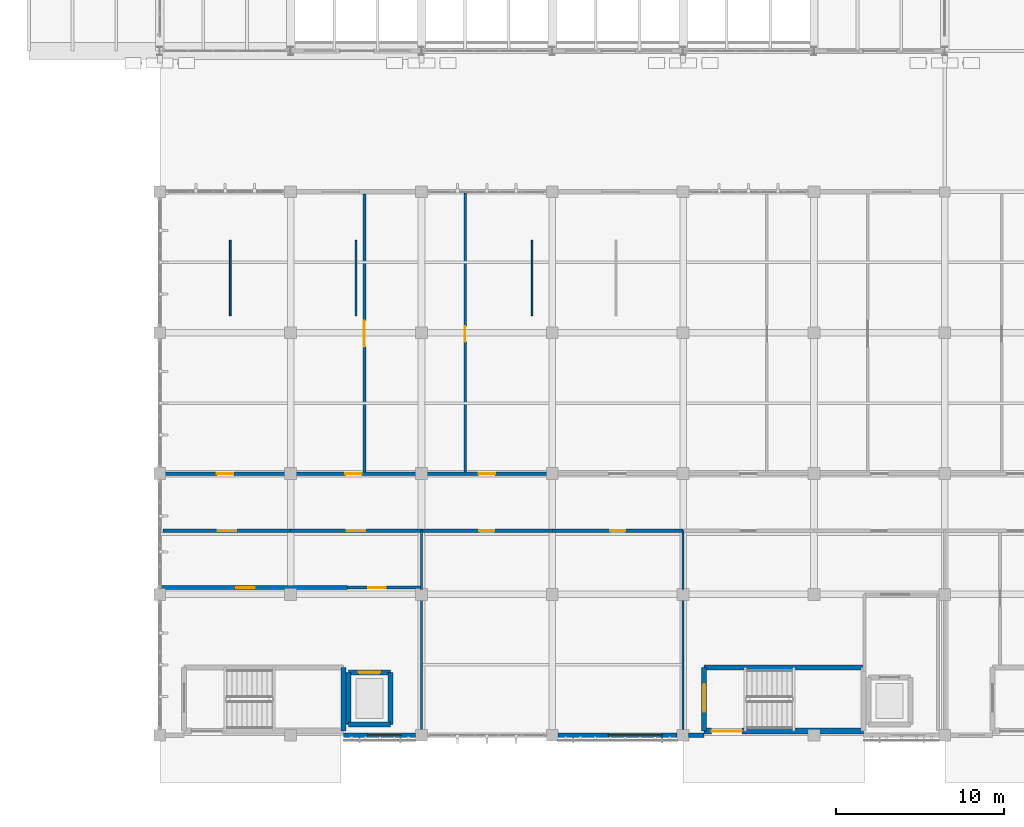
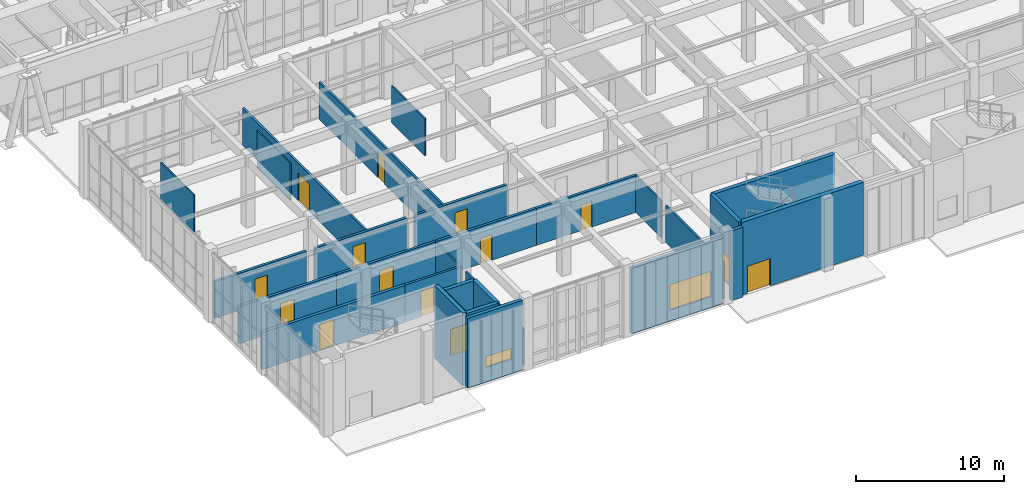
# One storey, part 74 of 110: 29 walls, 14 doors, 2 windows, 16 openings.
"""IFC4 building model written with IfcOpenShell, lengths in metres."""

from ifc_helpers import new_model, si_unit, direction, frame, frame_2d, origin, place, context, subcontext, project, spatial, rectangle, extrude, material, layer, layer_set, type_object, element, fill, save


model = new_model("IFC4")

# Units and contexts
model_context = context("Model", 3, precision=1e-05, world=origin(), true_north=direction((0.0, 1.0)))
body_context = subcontext(model_context, "Body", "Model", "MODEL_VIEW")
ifc_project = project(units=[si_unit("LENGTHUNIT", "METRE"), si_unit("AREAUNIT", "SQUARE_METRE"), si_unit("VOLUMEUNIT", "CUBIC_METRE"), si_unit("PLANEANGLEUNIT", "RADIAN"), si_unit("MASSUNIT", "GRAM", prefix="KILO")], contexts=[model_context])

# Site, building, storey
site_placement = place(None, origin())
site = spatial("IfcSite", under=ifc_project, at=site_placement, CompositionType="ELEMENT")
building_placement = place(site_placement, origin())
building = spatial("IfcBuilding", under=site, at=building_placement, Name="Tizgana Railside Sports Hall", CompositionType="ELEMENT")
storey_placement = place(building_placement, origin())
storey = spatial("IfcBuildingStorey", under=building, at=storey_placement, Name="L00", CompositionType="ELEMENT", Elevation=0.0)

# Wall, opening, door
ifc_material_1 = material(Name="Masonry blockwork", Category="masonry")
ifc_layer_1 = layer(ifc_material_1, 0.14990234375, Name="Masonry blockwork")
ifc_layer_set_1 = layer_set([ifc_layer_1], Name="Masonry blockwork")
wall_type_1 = type_object("IfcWallType", Name="Changing Wet-Room Partition 150", PredefinedType="STANDARD", material=ifc_layer_set_1)
wall_1_placement = place(storey_placement, frame((26.0, 15.60009765625, 0.0), z_axis=(0.0, 0.0, 1.0), x_axis=(0.0, 1.0, 0.0)))
wall_1 = element("IfcWall", 1, at=wall_1_placement, inside=storey, type_object=wall_type_1, Name="L00 Partition PWAL-0023", PredefinedType="STANDARD", context=body_context, shape_type="SweptSolid", body=[
    extrude(rectangle(XDim=16.724853515625, YDim=0.14990234375, at=frame_2d((8.3623046875, 0.0))), origin(), (0.0, 0.0, 1.0), 3.050048828125),
])
opening_1_placement = place(wall_1_placement, frame((7.864990234375, 0.0, 0.0)))
opening_1 = element("IfcOpeningElement", 2, at=opening_1_placement, cuts=wall_1, Name="Opening D-0125", PredefinedType="OPENING", context=body_context, shape_type="SweptSolid", body=[
    extrude(rectangle(XDim=0.919921875, YDim=2.14990234375, at=frame_2d((0.4599609375, 1.074951171875))), frame((0.0, 0.0849609375, 0.0), z_axis=(0.0, -1.0, 0.0), x_axis=(1.0, 0.0, 0.0)), (0.0, 0.0, 1.0), 0.169921875),
])
ifc_material_2 = material(Name="Solid beech timber", Category="wood")
door_type_1 = type_object("IfcDoorType", Name="Consultation & Coaching Door 920x2150", OperationType="NOTDEFINED", PredefinedType="DOOR", material=ifc_material_2)
door_1_placement = place(opening_1_placement, origin())
door_1 = element("IfcDoor", 3, at=door_1_placement, inside=storey, type_object=door_type_1, Name="L00 Door D-0125", OperationType="SINGLE_SWING_LEFT", OverallHeight=2.14990234375, OverallWidth=0.919921875, PredefinedType="DOOR", context=body_context, shape_type="SweptSolid", body=[
    extrude(rectangle(XDim=0.919921875, YDim=2.14990234375, at=frame_2d((0.4599609375, 1.074951171875))), frame((0.0, 0.02490234375, 0.0), z_axis=(0.0, -1.0, 0.0), x_axis=(1.0, 0.0, 0.0)), (0.0, 0.0, 1.0), 0.050048828125),
])
fill(opening_1, door_1)

ifc_material_3 = material(Name="Acoustic gypsum stud")
ifc_layer_2 = layer(ifc_material_3, 0.159912109375, Name="Acoustic gypsum stud")
ifc_layer_set_2 = layer_set([ifc_layer_2], Name="Acoustic gypsum stud")
wall_type_2 = type_object("IfcWallType", Name="Clinic Acoustic Partition 160", PredefinedType="STANDARD", material=ifc_layer_set_2)
wall_2_placement = place(storey_placement, frame((20.0, 15.64990234375, 0.0), z_axis=(0.0, 0.0, 1.0), x_axis=(0.0, 1.0, 0.0)))
wall_2 = element("IfcWall", 4, at=wall_2_placement, inside=storey, type_object=wall_type_2, Name="L00 Partition PWAL-0043", PredefinedType="STANDARD", context=body_context, shape_type="SweptSolid", body=[
    extrude(rectangle(XDim=16.610107421875, YDim=0.159912109375, at=frame_2d((8.30517578125, 0.0))), origin(), (0.0, 0.0, 1.0), 3.050048828125),
])
opening_2_placement = place(wall_2_placement, frame((7.52490234375, 0.0, 0.0)))
opening_2 = element("IfcOpeningElement", 5, at=opening_2_placement, cuts=wall_2, Name="Opening D-0131", PredefinedType="OPENING", context=body_context, shape_type="SweptSolid", body=[
    extrude(rectangle(XDim=1.550048828125, YDim=2.25, at=frame_2d((0.77490234375, 1.125))), frame((0.0, 0.08984375, 0.0), z_axis=(0.0, -1.0, 0.0), x_axis=(1.0, 0.0, 0.0)), (0.0, 0.0, 1.0), 0.179931640625),
])
ifc_material_4 = material(Name="Acoustic perforated timber", Category="wood")
door_type_2 = type_object("IfcDoorType", Name="Studio Acoustic Double Door 1550x2250", OperationType="NOTDEFINED", PredefinedType="DOOR", material=ifc_material_4)
door_2_placement = place(opening_2_placement, origin())
door_2 = element("IfcDoor", 6, at=door_2_placement, inside=storey, type_object=door_type_2, Name="L00 Door D-0131", OperationType="DOUBLE_DOOR_SINGLE_SWING", OverallHeight=2.25, OverallWidth=1.550048828125, PredefinedType="DOOR", context=body_context, shape_type="SweptSolid", body=[
    extrude(rectangle(XDim=1.550048828125, YDim=2.25, at=frame_2d((0.77490234375, 1.125))), frame((0.0, 0.02490234375, 0.0), z_axis=(0.0, -1.0, 0.0), x_axis=(1.0, 0.0, 0.0)), (0.0, 0.0, 1.0), 0.050048828125),
])
fill(opening_2, door_2)

# Walls
ifc_material_5 = material(Name="Concrete C40/50", Category="concrete")
ifc_layer_3 = layer(ifc_material_5, 0.300048828125, Name="Concrete C40/50")
ifc_layer_set_3 = layer_set([ifc_layer_3], Name="Concrete C40/50")
wall_type_3 = type_object("IfcWallType", Name="Core Shear Wall 300", PredefinedType="SHEAR", material=ifc_layer_set_3)
wall_3_placement = place(storey_placement, frame((18.75, 0.25, 0.0), z_axis=(0.0, 0.0, 1.0), x_axis=(0.0, 1.0, 0.0)))
element("IfcWall", 7, at=wall_3_placement, inside=storey, type_object=wall_type_3, Name="L00 C1 Shaft Wall E", PredefinedType="SHEAR", context=body_context, shape_type="SweptSolid", body=[
    extrude(rectangle(XDim=3.800048828125, YDim=0.300048828125, at=frame_2d((1.89990234375, 0.0))), origin(), (0.0, 0.0, 1.0), 6.0),
])
wall_4_placement = place(storey_placement, frame((19.050048828125, 0.64990234375, 0.0), z_axis=(0.0, 0.0, 1.0), x_axis=(1.0, 0.0, 0.0)))
element("IfcWall", 8, at=wall_4_placement, inside=storey, type_object=wall_type_3, Name="L00 LF-01 Shaft Wall S", PredefinedType="SHEAR", context=body_context, shape_type="SweptSolid", body=[
    extrude(rectangle(XDim=2.5, YDim=0.300048828125, at=frame_2d((1.25, 0.0))), origin(), (0.0, 0.0, 1.0), 5.659912109375),
])

# Wall, opening, door
wall_5_placement = place(storey_placement, frame((19.050048828125, 3.75, 0.0), z_axis=(0.0, 0.0, 1.0), x_axis=(1.0, 0.0, 0.0)))
wall_5 = element("IfcWall", 9, at=wall_5_placement, inside=storey, type_object=wall_type_3, Name="L00 LF-01 Shaft Wall N", PredefinedType="SHEAR", context=body_context, shape_type="SweptSolid", body=[
    extrude(rectangle(XDim=2.5, YDim=0.300048828125, at=frame_2d((1.25, 0.0))), origin(), (0.0, 0.0, 1.0), 5.659912109375),
])
opening_3_placement = place(wall_5_placement, frame((0.60009765625, 0.0, 0.0)))
opening_3 = element("IfcOpeningElement", 10, at=opening_3_placement, cuts=wall_5, Name="Opening D-0044", PredefinedType="OPENING", context=body_context, shape_type="SweptSolid", body=[
    extrude(rectangle(XDim=1.300048828125, YDim=2.199951171875, at=frame_2d((0.64990234375, 1.10009765625))), frame((0.0, 0.159912109375, 0.0), z_axis=(0.0, -1.0, 0.0), x_axis=(1.0, 0.0, 0.0)), (0.0, 0.0, 1.0), 0.320068359375),
])
ifc_material_6 = material(Name="Brushed stainless steel", Category="steel")
door_type_3 = type_object("IfcDoorType", Name="Stretcher Lift Sliding Door 1300x2200", OperationType="NOTDEFINED", PredefinedType="DOOR", material=ifc_material_6)
door_3_placement = place(opening_3_placement, origin())
door_3 = element("IfcDoor", 11, at=door_3_placement, inside=storey, type_object=door_type_3, Name="L00 Door D-0044", OperationType="DOUBLE_DOOR_SLIDING", OverallHeight=2.199951171875, OverallWidth=1.300048828125, PredefinedType="DOOR", context=body_context, shape_type="SweptSolid", body=[
    extrude(rectangle(XDim=1.300048828125, YDim=2.199951171875, at=frame_2d((0.64990234375, 1.10009765625))), frame((0.0, 0.02490234375, 0.0), z_axis=(0.0, -1.0, 0.0), x_axis=(1.0, 0.0, 0.0)), (0.0, 0.0, 1.0), 0.050048828125),
])
fill(opening_3, door_3)

# Walls
for number, where, z_axis, x_axis, name in (
    (12, (19.050048828125, 0.64990234375, 0.0), (0.0, 0.0, 1.0), (0.0, 1.0, 0.0), "L00 LF-01 Shaft Wall W"),
    (13, (21.550048828125, 0.64990234375, 0.0), (0.0, 0.0, 1.0), (0.0, 1.0, 0.0), "L00 LF-01 Shaft Wall E"),
):
    element("IfcWall", number, at=place(storey_placement, frame(where, z_axis=z_axis, x_axis=x_axis)), inside=storey, type_object=wall_type_3, Name=name, PredefinedType="SHEAR", context=body_context, shape_type="SweptSolid", body=[
        extrude(rectangle(XDim=3.10009765625, YDim=0.300048828125, at=frame_2d((1.550048828125, 0.0))), origin(), (0.0, 0.0, 1.0), 5.659912109375),
    ])
wall_6_placement = place(storey_placement, frame((40.25, 4.050048828125, 0.0), z_axis=(0.0, 0.0, 1.0), x_axis=(1.0, 0.0, 0.0)))
element("IfcWall", 14, at=wall_6_placement, inside=storey, type_object=wall_type_3, Name="L00 C2 Shaft Wall N", PredefinedType="SHEAR", context=body_context, shape_type="SweptSolid", body=[
    extrude(rectangle(XDim=9.5, YDim=0.300048828125, at=frame_2d((4.75, 0.0))), origin(), (0.0, 0.0, 1.0), 6.0),
])

# Wall, opening, door
wall_7_placement = place(storey_placement, frame((40.25, 0.25, 0.0), z_axis=(0.0, 0.0, 1.0), x_axis=(0.0, 1.0, 0.0)))
wall_7 = element("IfcWall", 15, at=wall_7_placement, inside=storey, type_object=wall_type_3, Name="L00 C2 Shaft Wall W", PredefinedType="SHEAR", context=body_context, shape_type="SweptSolid", body=[
    extrude(rectangle(XDim=3.800048828125, YDim=0.300048828125, at=frame_2d((1.89990234375, 0.0))), origin(), (0.0, 0.0, 1.0), 6.0),
])
opening_4_placement = place(wall_7_placement, frame((1.14990234375, 0.0, 0.0)))
opening_4 = element("IfcOpeningElement", 16, at=opening_4_placement, cuts=wall_7, Name="Opening D-0050", PredefinedType="OPENING", context=body_context, shape_type="SweptSolid", body=[
    extrude(rectangle(XDim=1.64990234375, YDim=2.199951171875, at=frame_2d((0.824951171875, 1.10009765625))), frame((0.0, 0.159912109375, 0.0), z_axis=(0.0, -1.0, 0.0), x_axis=(1.0, 0.0, 0.0)), (0.0, 0.0, 1.0), 0.320068359375),
])
ifc_material_7 = material(Name="Timber fire leaf", Category="wood")
door_type_4 = type_object("IfcDoorType", Name="Stair Core Double Fire Door 1650x2200", OperationType="NOTDEFINED", PredefinedType="DOOR", material=ifc_material_7)
door_4_placement = place(opening_4_placement, origin())
door_4 = element("IfcDoor", 17, at=door_4_placement, inside=storey, type_object=door_type_4, Name="L00 Door D-0050", OperationType="DOUBLE_DOOR_SINGLE_SWING", OverallHeight=2.199951171875, OverallWidth=1.64990234375, PredefinedType="DOOR", context=body_context, shape_type="SweptSolid", body=[
    extrude(rectangle(XDim=1.64990234375, YDim=2.199951171875, at=frame_2d((0.824951171875, 1.10009765625))), frame((0.0, 0.02490234375, 0.0), z_axis=(0.0, -1.0, 0.0), x_axis=(1.0, 0.0, 0.0)), (0.0, 0.0, 1.0), 0.050048828125),
])
fill(opening_4, door_4)

ifc_layer_4 = layer(ifc_material_1, 0.199951171875, Name="Masonry blockwork")
ifc_layer_set_4 = layer_set([ifc_layer_4], Name="Masonry blockwork")
wall_type_4 = type_object("IfcWallType", Name="Corridor Compartment Partition 200", PredefinedType="STANDARD", material=ifc_layer_set_4)
wall_8_placement = place(storey_placement, frame((8.10009765625, 15.60009765625, 0.0), z_axis=(0.0, 0.0, 1.0), x_axis=(1.0, 0.0, 0.0)))
wall_8 = element("IfcWall", 18, at=wall_8_placement, inside=storey, type_object=wall_type_4, Name="L00 Partition PWAL-0001", PredefinedType="STANDARD", context=body_context, shape_type="SweptSolid", body=[
    extrude(rectangle(XDim=7.199951171875, YDim=0.199951171875, at=frame_2d((3.60009765625, 0.0))), origin(), (0.0, 0.0, 1.0), 3.050048828125),
])
opening_5_placement = place(wall_8_placement, frame((3.110107421875, 0.0, 0.0)))
opening_5 = element("IfcOpeningElement", 19, at=opening_5_placement, cuts=wall_8, Name="Opening D-0103", PredefinedType="OPENING", context=body_context, shape_type="SweptSolid", body=[
    extrude(rectangle(XDim=0.97998046875, YDim=2.14990234375, at=frame_2d((0.489990234375, 1.074951171875))), frame((0.0, 0.10986328125, 0.0), z_axis=(0.0, -1.0, 0.0), x_axis=(1.0, 0.0, 0.0)), (0.0, 0.0, 1.0), 0.219970703125),
])
door_type_5 = type_object("IfcDoorType", Name="Athlete Changing Room Door 980x2150", OperationType="NOTDEFINED", PredefinedType="DOOR", material=ifc_material_2)
door_5_placement = place(opening_5_placement, origin())
door_5 = element("IfcDoor", 20, at=door_5_placement, inside=storey, type_object=door_type_5, Name="L00 Door D-0103", OperationType="SINGLE_SWING_LEFT", OverallHeight=2.14990234375, OverallWidth=0.97998046875, PredefinedType="DOOR", context=body_context, shape_type="SweptSolid", body=[
    extrude(rectangle(XDim=0.97998046875, YDim=2.14990234375, at=frame_2d((0.489990234375, 1.074951171875))), frame((0.0, 0.02490234375, 0.0), z_axis=(0.0, -1.0, 0.0), x_axis=(1.0, 0.0, 0.0)), (0.0, 0.0, 1.0), 0.050048828125),
])
fill(opening_5, door_5)

wall_9_placement = place(storey_placement, frame((8.0, 12.199951171875, 0.0), z_axis=(0.0, 0.0, 1.0), x_axis=(1.0, 0.0, 0.0)))
wall_9 = element("IfcWall", 21, at=wall_9_placement, inside=storey, type_object=wall_type_4, Name="L00 Partition PWAL-0002", PredefinedType="STANDARD", context=body_context, shape_type="SweptSolid", body=[
    extrude(rectangle(XDim=7.60009765625, YDim=0.199951171875, at=frame_2d((3.800048828125, 0.0))), origin(), (0.0, 0.0, 1.0), 3.050048828125),
])
opening_6_placement = place(wall_9_placement, frame((3.25, 0.0, 0.0)))
opening_6 = element("IfcOpeningElement", 22, at=opening_6_placement, cuts=wall_9, Name="Opening D-0104", PredefinedType="OPENING", context=body_context, shape_type="SweptSolid", body=[
    extrude(rectangle(XDim=1.10009765625, YDim=2.199951171875, at=frame_2d((0.550048828125, 1.10009765625))), frame((0.0, 0.10986328125, 0.0), z_axis=(0.0, -1.0, 0.0), x_axis=(1.0, 0.0, 0.0)), (0.0, 0.0, 1.0), 0.219970703125),
])
door_type_6 = type_object("IfcDoorType", Name="Firefighting Lobby Fire Door 1100x2200", OperationType="NOTDEFINED", PredefinedType="DOOR", material=ifc_material_7)
door_6_placement = place(opening_6_placement, origin())
door_6 = element("IfcDoor", 23, at=door_6_placement, inside=storey, type_object=door_type_6, Name="L00 Door D-0104", OperationType="SINGLE_SWING_RIGHT", OverallHeight=2.199951171875, OverallWidth=1.10009765625, PredefinedType="DOOR", context=body_context, shape_type="SweptSolid", body=[
    extrude(rectangle(XDim=1.10009765625, YDim=2.199951171875, at=frame_2d((0.550048828125, 1.10009765625))), frame((0.0, 0.02490234375, 0.0), z_axis=(0.0, -1.0, 0.0), x_axis=(1.0, 0.0, 0.0)), (0.0, 0.0, 1.0), 0.050048828125),
])
fill(opening_6, door_6)

wall_10_placement = place(storey_placement, frame((15.89990234375, 15.60009765625, 0.0), z_axis=(0.0, 0.0, 1.0), x_axis=(1.0, 0.0, 0.0)))
wall_10 = element("IfcWall", 24, at=wall_10_placement, inside=storey, type_object=wall_type_4, Name="L00 Partition PWAL-0003", PredefinedType="STANDARD", context=body_context, shape_type="SweptSolid", body=[
    extrude(rectangle(XDim=7.2001953125, YDim=0.199951171875, at=frame_2d((3.60009765625, 0.0))), origin(), (0.0, 0.0, 1.0), 3.050048828125),
])
opening_7_placement = place(wall_10_placement, frame((2.9599609375, 0.0, 0.0)))
opening_7 = element("IfcOpeningElement", 25, at=opening_7_placement, cuts=wall_10, Name="Opening D-0105", PredefinedType="OPENING", context=body_context, shape_type="SweptSolid", body=[
    extrude(rectangle(XDim=0.97998046875, YDim=2.14990234375, at=frame_2d((0.489990234375, 1.074951171875))), frame((0.0, 0.10986328125, 0.0), z_axis=(0.0, -1.0, 0.0), x_axis=(1.0, 0.0, 0.0)), (0.0, 0.0, 1.0), 0.219970703125),
])
door_7_placement = place(opening_7_placement, origin())
door_7 = element("IfcDoor", 26, at=door_7_placement, inside=storey, type_object=door_type_5, Name="L00 Door D-0105", OperationType="SINGLE_SWING_LEFT", OverallHeight=2.14990234375, OverallWidth=0.97998046875, PredefinedType="DOOR", context=body_context, shape_type="SweptSolid", body=[
    extrude(rectangle(XDim=0.97998046875, YDim=2.14990234375, at=frame_2d((0.489990234375, 1.074951171875))), frame((0.0, 0.02490234375, 0.0), z_axis=(0.0, -1.0, 0.0), x_axis=(1.0, 0.0, 0.0)), (0.0, 0.0, 1.0), 0.050048828125),
])
fill(opening_7, door_7)

wall_11_placement = place(storey_placement, frame((15.60009765625, 12.199951171875, 0.0), z_axis=(0.0, 0.0, 1.0), x_axis=(1.0, 0.0, 0.0)))
wall_11 = element("IfcWall", 27, at=wall_11_placement, inside=storey, type_object=wall_type_4, Name="L00 Partition PWAL-0004", PredefinedType="STANDARD", context=body_context, shape_type="SweptSolid", body=[
    extrude(rectangle(XDim=7.7998046875, YDim=0.199951171875, at=frame_2d((3.89990234375, 0.0))), origin(), (0.0, 0.0, 1.0), 3.050048828125),
])
opening_8_placement = place(wall_11_placement, frame((3.35009765625, 0.0, 0.0)))
opening_8 = element("IfcOpeningElement", 28, at=opening_8_placement, cuts=wall_11, Name="Opening D-0106", PredefinedType="OPENING", context=body_context, shape_type="SweptSolid", body=[
    extrude(rectangle(XDim=1.10009765625, YDim=2.199951171875, at=frame_2d((0.550048828125, 1.10009765625))), frame((0.0, 0.10986328125, 0.0), z_axis=(0.0, -1.0, 0.0), x_axis=(1.0, 0.0, 0.0)), (0.0, 0.0, 1.0), 0.219970703125),
])
door_8_placement = place(opening_8_placement, origin())
door_8 = element("IfcDoor", 29, at=door_8_placement, inside=storey, type_object=door_type_6, Name="L00 Door D-0106", OperationType="SINGLE_SWING_RIGHT", OverallHeight=2.199951171875, OverallWidth=1.10009765625, PredefinedType="DOOR", context=body_context, shape_type="SweptSolid", body=[
    extrude(rectangle(XDim=1.10009765625, YDim=2.199951171875, at=frame_2d((0.550048828125, 1.10009765625))), frame((0.0, 0.02490234375, 0.0), z_axis=(0.0, -1.0, 0.0), x_axis=(1.0, 0.0, 0.0)), (0.0, 0.0, 1.0), 0.050048828125),
])
fill(opening_8, door_8)

wall_12_placement = place(storey_placement, frame((23.699951171875, 15.60009765625, 0.0), z_axis=(0.0, 0.0, 1.0), x_axis=(1.0, 0.0, 0.0)))
wall_12 = element("IfcWall", 30, at=wall_12_placement, inside=storey, type_object=wall_type_4, Name="L00 Partition PWAL-0005", PredefinedType="STANDARD", context=body_context, shape_type="SweptSolid", body=[
    extrude(rectangle(XDim=7.199951171875, YDim=0.199951171875, at=frame_2d((3.60009765625, 0.0))), origin(), (0.0, 0.0, 1.0), 3.050048828125),
])
opening_9_placement = place(wall_12_placement, frame((3.110107421875, 0.0, 0.0)))
opening_9 = element("IfcOpeningElement", 31, at=opening_9_placement, cuts=wall_12, Name="Opening D-0107", PredefinedType="OPENING", context=body_context, shape_type="SweptSolid", body=[
    extrude(rectangle(XDim=0.97998046875, YDim=2.14990234375, at=frame_2d((0.489990234375, 1.074951171875))), frame((0.0, 0.10986328125, 0.0), z_axis=(0.0, -1.0, 0.0), x_axis=(1.0, 0.0, 0.0)), (0.0, 0.0, 1.0), 0.219970703125),
])
door_9_placement = place(opening_9_placement, origin())
door_9 = element("IfcDoor", 32, at=door_9_placement, inside=storey, type_object=door_type_5, Name="L00 Door D-0107", OperationType="SINGLE_SWING_LEFT", OverallHeight=2.14990234375, OverallWidth=0.97998046875, PredefinedType="DOOR", context=body_context, shape_type="SweptSolid", body=[
    extrude(rectangle(XDim=0.97998046875, YDim=2.14990234375, at=frame_2d((0.489990234375, 1.074951171875))), frame((0.0, 0.02490234375, 0.0), z_axis=(0.0, -1.0, 0.0), x_axis=(1.0, 0.0, 0.0)), (0.0, 0.0, 1.0), 0.050048828125),
])
fill(opening_9, door_9)

wall_13_placement = place(storey_placement, frame((23.39990234375, 12.199951171875, 0.0), z_axis=(0.0, 0.0, 1.0), x_axis=(1.0, 0.0, 0.0)))
wall_13 = element("IfcWall", 33, at=wall_13_placement, inside=storey, type_object=wall_type_4, Name="L00 Partition PWAL-0006", PredefinedType="STANDARD", context=body_context, shape_type="SweptSolid", body=[
    extrude(rectangle(XDim=7.800048828125, YDim=0.199951171875, at=frame_2d((3.89990234375, 0.0))), origin(), (0.0, 0.0, 1.0), 3.050048828125),
])
opening_10_placement = place(wall_13_placement, frame((3.4599609375, 0.0, 0.0)))
opening_10 = element("IfcOpeningElement", 34, at=opening_10_placement, cuts=wall_13, Name="Opening D-0108", PredefinedType="OPENING", context=body_context, shape_type="SweptSolid", body=[
    extrude(rectangle(XDim=0.8798828125, YDim=2.10009765625, at=frame_2d((0.43994140625, 1.050048828125))), frame((0.0, 0.10986328125, 0.0), z_axis=(0.0, -1.0, 0.0), x_axis=(1.0, 0.0, 0.0)), (0.0, 0.0, 1.0), 0.219970703125),
])
door_type_7 = type_object("IfcDoorType", Name="Public & Staff WC Door 880x2100", OperationType="NOTDEFINED", PredefinedType="DOOR", material=ifc_material_2)
door_10_placement = place(opening_10_placement, origin())
door_10 = element("IfcDoor", 35, at=door_10_placement, inside=storey, type_object=door_type_7, Name="L00 Door D-0108", OperationType="SINGLE_SWING_RIGHT", OverallHeight=2.10009765625, OverallWidth=0.8798828125, PredefinedType="DOOR", context=body_context, shape_type="SweptSolid", body=[
    extrude(rectangle(XDim=0.8798828125, YDim=2.10009765625, at=frame_2d((0.43994140625, 1.050048828125))), frame((0.0, 0.02490234375, 0.0), z_axis=(0.0, -1.0, 0.0), x_axis=(1.0, 0.0, 0.0)), (0.0, 0.0, 1.0), 0.050048828125),
])
fill(opening_10, door_10)

wall_14_placement = place(storey_placement, frame((31.199951171875, 12.199951171875, 0.0), z_axis=(0.0, 0.0, 1.0), x_axis=(1.0, 0.0, 0.0)))
wall_14 = element("IfcWall", 36, at=wall_14_placement, inside=storey, type_object=wall_type_4, Name="L00 Partition PWAL-0008", PredefinedType="STANDARD", context=body_context, shape_type="SweptSolid", body=[
    extrude(rectangle(XDim=7.800048828125, YDim=0.199951171875, at=frame_2d((3.89990234375, 0.0))), origin(), (0.0, 0.0, 1.0), 3.050048828125),
])
opening_11_placement = place(wall_14_placement, frame((3.4599609375, 0.0, 0.0)))
opening_11 = element("IfcOpeningElement", 37, at=opening_11_placement, cuts=wall_14, Name="Opening D-0110", PredefinedType="OPENING", context=body_context, shape_type="SweptSolid", body=[
    extrude(rectangle(XDim=0.8798828125, YDim=2.10009765625, at=frame_2d((0.43994140625, 1.050048828125))), frame((0.0, 0.10986328125, 0.0), z_axis=(0.0, -1.0, 0.0), x_axis=(1.0, 0.0, 0.0)), (0.0, 0.0, 1.0), 0.219970703125),
])
door_11_placement = place(opening_11_placement, origin())
door_11 = element("IfcDoor", 38, at=door_11_placement, inside=storey, type_object=door_type_7, Name="L00 Door D-0110", OperationType="SINGLE_SWING_RIGHT", OverallHeight=2.10009765625, OverallWidth=0.8798828125, PredefinedType="DOOR", context=body_context, shape_type="SweptSolid", body=[
    extrude(rectangle(XDim=0.8798828125, YDim=2.10009765625, at=frame_2d((0.43994140625, 1.050048828125))), frame((0.0, 0.02490234375, 0.0), z_axis=(0.0, -1.0, 0.0), x_axis=(1.0, 0.0, 0.0)), (0.0, 0.0, 1.0), 0.050048828125),
])
fill(opening_11, door_11)

ifc_material_8 = material(Name="Concrete C35/45", Category="concrete")
ifc_layer_5 = layer(ifc_material_8, 0.340087890625, Name="Concrete C35/45")
ifc_layer_set_5 = layer_set([ifc_layer_5], Name="Concrete C35/45")
wall_type_5 = type_object("IfcWallType", Name="Exterior Insulated Concrete Wall 340", PredefinedType="STANDARD", material=ifc_layer_set_5)
wall_15_placement = place(storey_placement, frame((49.75, 0.25, 0.0), z_axis=(0.0, 0.0, 1.0), x_axis=(-1.0, 0.0, 0.0)))
wall_15 = element("IfcWall", 39, at=wall_15_placement, inside=storey, type_object=wall_type_5, Name="L00 C2 Shaft Wall S", PredefinedType="STANDARD", context=body_context, shape_type="SweptSolid", body=[
    extrude(rectangle(XDim=9.5, YDim=0.340087890625, at=frame_2d((4.75, 0.0))), origin(), (0.0, 0.0, 1.0), 6.0),
])
opening_12_placement = place(wall_15_placement, frame((7.25, 0.0, 0.0)))
opening_12 = element("IfcOpeningElement", 40, at=opening_12_placement, cuts=wall_15, Name="Opening D-0051", PredefinedType="OPENING", context=body_context, shape_type="SweptSolid", body=[
    extrude(rectangle(XDim=1.800048828125, YDim=2.25, at=frame_2d((0.89990234375, 1.125))), frame((0.0, 0.179931640625, 0.0), z_axis=(0.0, -1.0, 0.0), x_axis=(1.0, 0.0, 0.0)), (0.0, 0.0, 1.0), 0.360107421875),
])
ifc_material_9 = material(Name="Galvanised steel sheet", Category="steel")
door_type_8 = type_object("IfcDoorType", Name="Protected Stair Final Exit Door 1800x2250", OperationType="NOTDEFINED", PredefinedType="DOOR", material=ifc_material_9)
door_12_placement = place(opening_12_placement, origin())
door_12 = element("IfcDoor", 41, at=door_12_placement, inside=storey, type_object=door_type_8, Name="L00 Core Exit Door D-0051", OperationType="DOUBLE_DOOR_SINGLE_SWING", OverallHeight=2.25, OverallWidth=1.800048828125, PredefinedType="DOOR", context=body_context, shape_type="SweptSolid", body=[
    extrude(rectangle(XDim=1.800048828125, YDim=2.25, at=frame_2d((0.89990234375, 1.125))), frame((0.0, 0.02490234375, 0.0), z_axis=(0.0, -1.0, 0.0), x_axis=(1.0, 0.0, 0.0)), (0.0, 0.0, 1.0), 0.050048828125),
])
fill(opening_12, door_12)

# Wall, opening, window
ifc_material_10 = material(Name="Precast concrete C40/50", Category="concrete")
ifc_layer_6 = layer(ifc_material_10, 0.27001953125, Name="Precast concrete C40/50")
ifc_layer_set_6 = layer_set([ifc_layer_6], Name="Precast concrete C40/50")
wall_type_6 = type_object("IfcWallType", Name="Exterior Studio Facade Wall 270", PredefinedType="STANDARD", material=ifc_layer_set_6)
wall_16_placement = place(storey_placement, frame((23.050048828125, 0.0, 0.0), z_axis=(0.0, 0.0, 1.0), x_axis=(-1.0, 0.0, 0.0)))
wall_16 = element("IfcWall", 42, at=wall_16_placement, inside=storey, type_object=wall_type_6, Name="L00 Exterior Wall EWAL-0071", PredefinedType="STANDARD", context=body_context, shape_type="SweptSolid", body=[
    extrude(rectangle(XDim=4.295166015625, YDim=0.27001953125, at=frame_2d((2.1474609375, 0.0))), origin(), (0.0, 0.0, 1.0), 5.75),
])
opening_13_placement = place(wall_16_placement, frame((0.85009765625, 0.0, 1.199951171875)))
opening_13 = element("IfcOpeningElement", 43, at=opening_13_placement, cuts=wall_16, Name="Opening W-0049", PredefinedType="OPENING", context=body_context, shape_type="SweptSolid", body=[
    extrude(rectangle(XDim=2.0, YDim=0.89990234375, at=frame_2d((1.0, 0.449951171875))), frame((0.0, 0.14501953125, 0.0), z_axis=(0.0, -1.0, 0.0), x_axis=(1.0, 0.0, 0.0)), (0.0, 0.0, 1.0), 0.2900390625),
])
ifc_material_11 = material(Name="Double low-E laminated glass", Category="glass")
window_type_1 = type_object("IfcWindowType", Name="Changing High-Level Window 2000x900", PartitioningType="SINGLE_PANEL", PredefinedType="WINDOW", material=ifc_material_11)
window_1_placement = place(opening_13_placement, origin())
window_1 = element("IfcWindow", 44, at=window_1_placement, inside=storey, type_object=window_type_1, Name="L00 Window W-0049", OverallHeight=0.89990234375, OverallWidth=2.0, PartitioningType="SINGLE_PANEL", PredefinedType="WINDOW", context=body_context, shape_type="SweptSolid", body=[
    extrude(rectangle(XDim=2.0, YDim=0.89990234375, at=frame_2d((1.0, 0.449951171875))), frame((0.0, 0.030029296875, 0.0), z_axis=(0.0, -1.0, 0.0), x_axis=(1.0, 0.0, 0.0)), (0.0, 0.0, 1.0), 0.06005859375),
])
fill(opening_13, window_1)

wall_17_placement = place(storey_placement, frame((38.64990234375, 0.0, 0.0), z_axis=(0.0, 0.0, 1.0), x_axis=(-1.0, 0.0, 0.0)))
wall_17 = element("IfcWall", 45, at=wall_17_placement, inside=storey, type_object=wall_type_6, Name="L00 Exterior Wall EWAL-0072", PredefinedType="STANDARD", context=body_context, shape_type="SweptSolid", body=[
    extrude(rectangle(XDim=7.099853515625, YDim=0.27001953125, at=frame_2d((3.5498046875, 0.0))), origin(), (0.0, 0.0, 1.0), 5.381103515625),
])
opening_14_placement = place(wall_17_placement, frame((0.89990234375, 0.0, 0.89990234375)))
opening_14 = element("IfcOpeningElement", 46, at=opening_14_placement, cuts=wall_17, Name="Opening W-0050", PredefinedType="OPENING", context=body_context, shape_type="SweptSolid", body=[
    extrude(rectangle(XDim=3.199951171875, YDim=2.10009765625, at=frame_2d((1.60009765625, 1.050048828125))), frame((0.0, 0.14501953125, 0.0), z_axis=(0.0, -1.0, 0.0), x_axis=(1.0, 0.0, 0.0)), (0.0, 0.0, 1.0), 0.2900390625),
])
window_type_2 = type_object("IfcWindowType", Name="Studio Wide Window 3200x2100", PartitioningType="SINGLE_PANEL", PredefinedType="WINDOW", material=ifc_material_11)
window_2_placement = place(opening_14_placement, origin())
window_2 = element("IfcWindow", 47, at=window_2_placement, inside=storey, type_object=window_type_2, Name="L00 Window W-0050", OverallHeight=2.10009765625, OverallWidth=3.199951171875, PartitioningType="SINGLE_PANEL", PredefinedType="WINDOW", context=body_context, shape_type="SweptSolid", body=[
    extrude(rectangle(XDim=3.199951171875, YDim=2.10009765625, at=frame_2d((1.60009765625, 1.050048828125))), frame((0.0, 0.030029296875, 0.0), z_axis=(0.0, -1.0, 0.0), x_axis=(1.0, 0.0, 0.0)), (0.0, 0.0, 1.0), 0.06005859375),
])
fill(opening_14, window_2)

# Wall
wall_18_placement = place(storey_placement, frame((40.2451171875, 0.0, 0.0), z_axis=(0.0, 0.0, 1.0), x_axis=(-1.0, 0.0, 0.0)))
element("IfcWall", 48, at=wall_18_placement, inside=storey, type_object=wall_type_6, Name="L00 Exterior Wall EWAL-0073", PredefinedType="STANDARD", context=body_context, shape_type="SweptSolid", body=[
    extrude(rectangle(XDim=0.925048828125, YDim=0.27001953125, at=frame_2d((0.46240234375, 0.0))), origin(), (0.0, 0.0, 1.0), 5.75),
])

# Wall, opening, door
ifc_layer_7 = layer(ifc_material_8, 0.239990234375, Name="Concrete C35/45")
ifc_layer_set_7 = layer_set([ifc_layer_7], Name="Concrete C35/45")
wall_type_7 = type_object("IfcWallType", Name="Firefighting Lobby Wall 240", PredefinedType="STANDARD", material=ifc_layer_set_7)
wall_19_placement = place(storey_placement, frame((7.847412109375, 8.800048828125, 0.0), z_axis=(0.0, 0.0, 1.0), x_axis=(1.0, 0.0, 0.0)))
wall_19 = element("IfcWall", 49, at=wall_19_placement, inside=storey, type_object=wall_type_7, Name="L00 Partition PWAL-0298", PredefinedType="STANDARD", context=body_context, shape_type="SweptSolid", body=[
    extrude(rectangle(XDim=11.152587890625, YDim=0.239990234375, at=frame_2d((5.576171875, 0.0))), origin(), (0.0, 0.0, 1.0), 3.050048828125),
])
opening_15_placement = place(wall_19_placement, frame((4.50244140625, 0.0, 0.0)))
opening_15 = element("IfcOpeningElement", 50, at=opening_15_placement, cuts=wall_19, Name="Opening D-0276", PredefinedType="OPENING", context=body_context, shape_type="SweptSolid", body=[
    extrude(rectangle(XDim=1.10009765625, YDim=2.199951171875, at=frame_2d((0.550048828125, 1.10009765625))), frame((0.0, 0.1298828125, 0.0), z_axis=(0.0, -1.0, 0.0), x_axis=(1.0, 0.0, 0.0)), (0.0, 0.0, 1.0), 0.260009765625),
])
door_13_placement = place(opening_15_placement, origin())
door_13 = element("IfcDoor", 51, at=door_13_placement, inside=storey, type_object=door_type_6, Name="L00 Door D-0276", OperationType="SINGLE_SWING_LEFT", OverallHeight=2.199951171875, OverallWidth=1.10009765625, PredefinedType="DOOR", context=body_context, shape_type="SweptSolid", body=[
    extrude(rectangle(XDim=1.10009765625, YDim=2.199951171875, at=frame_2d((0.550048828125, 1.10009765625))), frame((0.0, 0.02490234375, 0.0), z_axis=(0.0, -1.0, 0.0), x_axis=(1.0, 0.0, 0.0)), (0.0, 0.0, 1.0), 0.050048828125),
])
fill(opening_15, door_13)

# Walls
ifc_layer_8 = layer(ifc_material_3, 0.1298828125, Name="Acoustic gypsum stud")
ifc_layer_set_8 = layer_set([ifc_layer_8], Name="Acoustic gypsum stud")
wall_type_8 = type_object("IfcWallType", Name="General Interior Partition 130", PredefinedType="STANDARD", material=ifc_layer_set_8)
wall_20_placement = place(storey_placement, frame((23.39990234375, 0.300048828125, 0.0), z_axis=(0.0, 0.0, 1.0), x_axis=(0.0, 1.0, 0.0)))
element("IfcWall", 52, at=wall_20_placement, inside=storey, type_object=wall_type_8, Name="L00 Partition PWAL-0028", PredefinedType="STANDARD", context=body_context, shape_type="SweptSolid", body=[
    extrude(rectangle(XDim=7.800048828125, YDim=0.1298828125, at=frame_2d((3.89990234375, 0.0))), origin(), (0.0, 0.0, 1.0), 3.050048828125),
])
wall_21_placement = place(storey_placement, frame((23.39990234375, 8.699951171875, 0.0), z_axis=(0.0, 0.0, 1.0), x_axis=(0.0, 1.0, 0.0)))
element("IfcWall", 53, at=wall_21_placement, inside=storey, type_object=wall_type_8, Name="L00 Partition PWAL-0029", PredefinedType="STANDARD", context=body_context, shape_type="SweptSolid", body=[
    extrude(rectangle(XDim=3.5, YDim=0.1298828125, at=frame_2d((1.75, 0.0))), origin(), (0.0, 0.0, 1.0), 3.050048828125),
])
wall_22_placement = place(storey_placement, frame((39.0, 0.300048828125, 0.0), z_axis=(0.0, 0.0, 1.0), x_axis=(0.0, 1.0, 0.0)))
element("IfcWall", 54, at=wall_22_placement, inside=storey, type_object=wall_type_8, Name="L00 Partition PWAL-0030", PredefinedType="STANDARD", context=body_context, shape_type="SweptSolid", body=[
    extrude(rectangle(XDim=7.800048828125, YDim=0.1298828125, at=frame_2d((3.89990234375, 0.0))), origin(), (0.0, 0.0, 1.0), 3.050048828125),
])
wall_23_placement = place(storey_placement, frame((39.0, 8.699951171875, 0.0), z_axis=(0.0, 0.0, 1.0), x_axis=(0.0, 1.0, 0.0)))
element("IfcWall", 55, at=wall_23_placement, inside=storey, type_object=wall_type_8, Name="L00 Partition PWAL-0031", PredefinedType="STANDARD", context=body_context, shape_type="SweptSolid", body=[
    extrude(rectangle(XDim=3.5, YDim=0.1298828125, at=frame_2d((1.75, 0.0))), origin(), (0.0, 0.0, 1.0), 3.050048828125),
])
ifc_layer_9 = layer(ifc_material_3, 0.10009765625, Name="Acoustic gypsum stud")
ifc_layer_set_9 = layer_set([ifc_layer_9], Name="Acoustic gypsum stud")
wall_type_9 = type_object("IfcWallType", Name="Locker Alcove Partition 100", PredefinedType="STANDARD", material=ifc_layer_set_9)
for number, where, z_axis, x_axis, name in (
    (56, (12.0, 25.0, 0.0), (0.0, 0.0, 1.0), (0.0, 1.0, 0.0), "L00 Partition PWAL-0045"),
    (57, (19.5, 25.0, 0.0), (0.0, 0.0, 1.0), (0.0, 1.0, 0.0), "L00 Partition PWAL-0046"),
    (58, (30.0, 25.0, 0.0), (0.0, 0.0, 1.0), (0.0, 1.0, 0.0), "L00 Partition PWAL-0047"),
):
    element("IfcWall", number, at=place(storey_placement, frame(where, z_axis=z_axis, x_axis=x_axis)), inside=storey, type_object=wall_type_9, Name=name, PredefinedType="STANDARD", context=body_context, shape_type="SweptSolid", body=[
        extrude(rectangle(XDim=4.5, YDim=0.10009765625, at=frame_2d((2.25, 0.0))), origin(), (0.0, 0.0, 1.0), 3.050048828125),
    ])

# Wall, opening, door
ifc_layer_10 = layer(ifc_material_1, 0.179931640625, Name="Masonry blockwork")
ifc_layer_set_10 = layer_set([ifc_layer_10], Name="Masonry blockwork")
wall_type_10 = type_object("IfcWallType", Name="Riser and Shaft Wall 180", PredefinedType="STANDARD", material=ifc_layer_set_10)
wall_24_placement = place(storey_placement, frame((19.0, 8.800048828125, 0.0), z_axis=(0.0, 0.0, 1.0), x_axis=(1.0, 0.0, 0.0)))
wall_24 = element("IfcWall", 59, at=wall_24_placement, inside=storey, type_object=wall_type_10, Name="L00 Partition PWAL-0299", PredefinedType="STANDARD", context=body_context, shape_type="SweptSolid", body=[
    extrude(rectangle(XDim=4.330078125, YDim=0.179931640625, at=frame_2d((2.1650390625, 0.0))), origin(), (0.0, 0.0, 1.0), 3.050048828125),
])
opening_16_placement = place(wall_24_placement, frame((1.239990234375, 0.0, 0.0)))
opening_16 = element("IfcOpeningElement", 60, at=opening_16_placement, cuts=wall_24, Name="Opening D-0277", PredefinedType="OPENING", context=body_context, shape_type="SweptSolid", body=[
    extrude(rectangle(XDim=1.02001953125, YDim=2.14990234375, at=frame_2d((0.510009765625, 1.074951171875))), frame((0.0, 0.099853515625, 0.0), z_axis=(0.0, -1.0, 0.0), x_axis=(1.0, 0.0, 0.0)), (0.0, 0.0, 1.0), 0.199951171875),
])
door_type_9 = type_object("IfcDoorType", Name="Accessible Changing & WC Door 1020x2150", OperationType="NOTDEFINED", PredefinedType="DOOR", material=ifc_material_2)
door_14_placement = place(opening_16_placement, origin())
door_14 = element("IfcDoor", 61, at=door_14_placement, inside=storey, type_object=door_type_9, Name="L00 Door D-0277", OperationType="SINGLE_SWING_RIGHT", OverallHeight=2.14990234375, OverallWidth=1.02001953125, PredefinedType="DOOR", context=body_context, shape_type="SweptSolid", body=[
    extrude(rectangle(XDim=1.02001953125, YDim=2.14990234375, at=frame_2d((0.510009765625, 1.074951171875))), frame((0.0, 0.02490234375, 0.0), z_axis=(0.0, -1.0, 0.0), x_axis=(1.0, 0.0, 0.0)), (0.0, 0.0, 1.0), 0.050048828125),
])
fill(opening_16, door_14)

save(model, "model.ifc")
